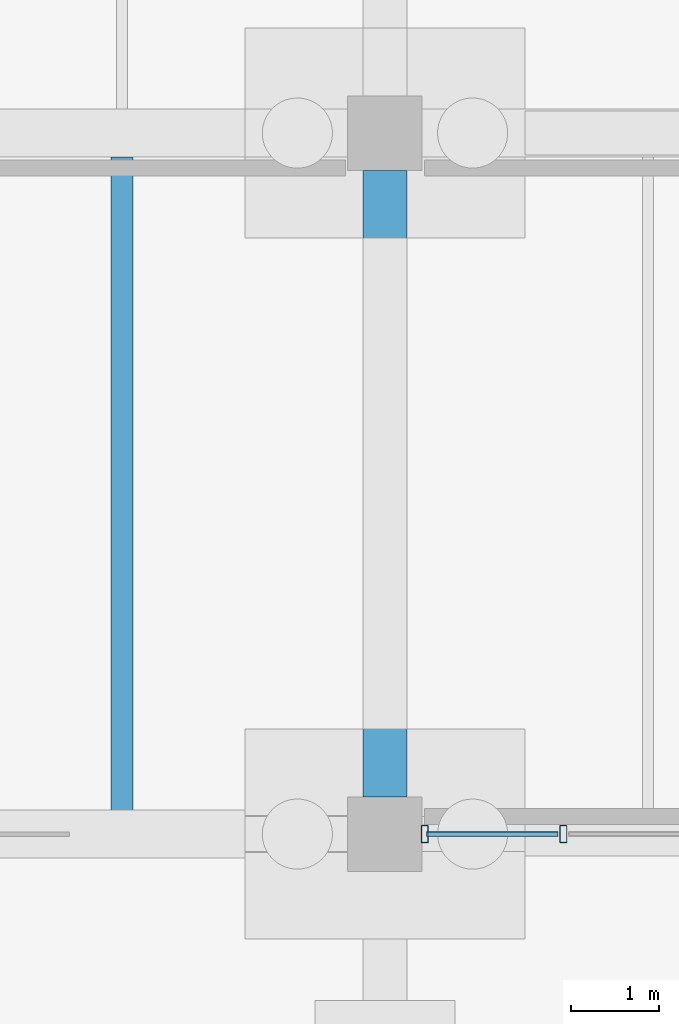
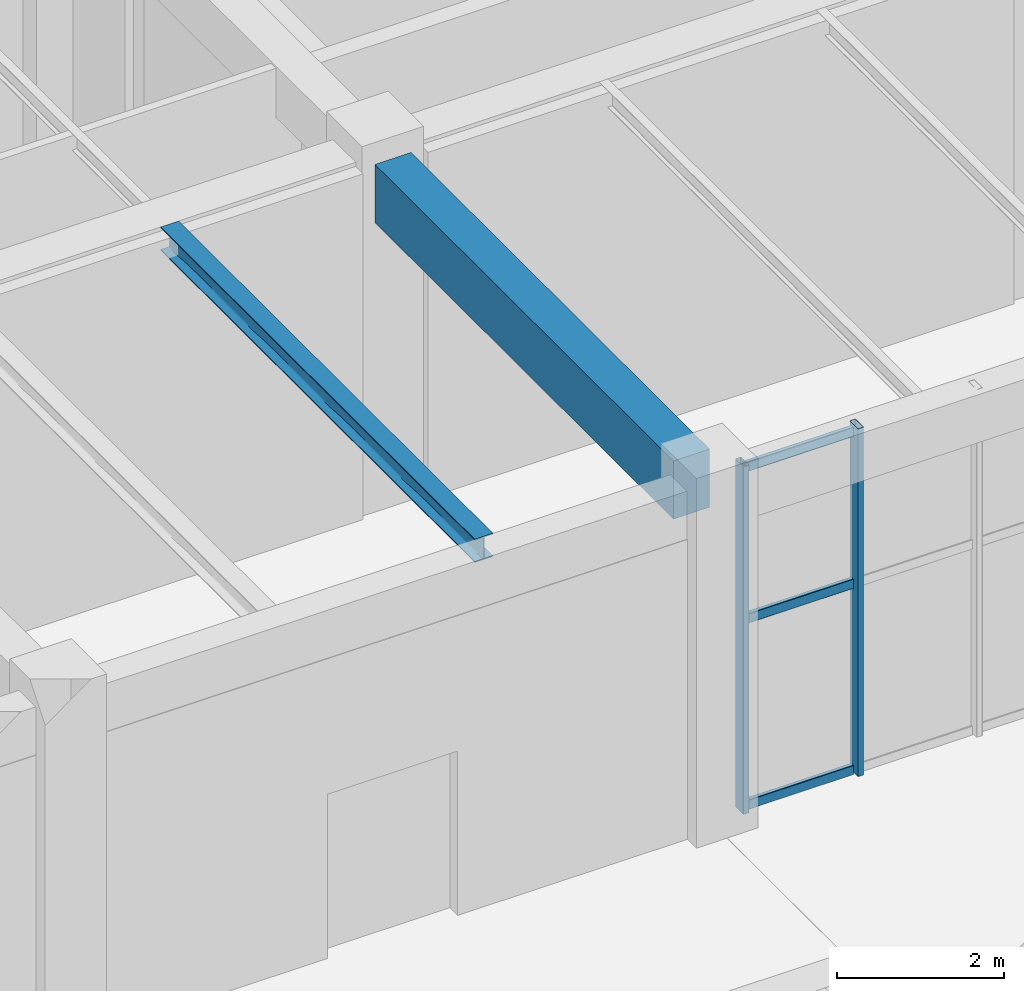
# One storey, part 35 of 121: 5 members, 2 beams, 1 element without a shape of its own.
"""IFC4 building model written with IfcOpenShell, lengths in metres."""

from ifc_helpers import new_model, si_unit, derived_unit, direction, frame, origin, origin_2d, place, context, subcontext, project, spatial, rectangle, hollow_rectangle, i_section, extrude, material, material_profile, profile_set, type_object, element, aggregate, save


model = new_model("IFC4")

# Units and contexts
model_context = context("Model", 3, precision=1e-05, world=origin(), true_north=direction((0.0, 1.0)))
body_context = subcontext(model_context, "Body", "Model", "MODEL_VIEW")
ifc_project = project(units=[si_unit("LENGTHUNIT", "METRE"), si_unit("AREAUNIT", "SQUARE_METRE"), si_unit("VOLUMEUNIT", "CUBIC_METRE"), si_unit("PLANEANGLEUNIT", "RADIAN"), si_unit("MASSUNIT", "GRAM", prefix="KILO"), derived_unit("THERMALTRANSMITTANCEUNIT", [(si_unit("MASSUNIT", "GRAM", prefix="KILO"), 1), (si_unit("TIMEUNIT", "SECOND"), -3), (si_unit("THERMODYNAMICTEMPERATUREUNIT", "KELVIN"), -1)])], contexts=[model_context])

# Site, building, storey
site_placement = place(None, origin())
site = spatial("IfcSite", under=ifc_project, at=site_placement, CompositionType="ELEMENT")
building_placement = place(site_placement, origin())
building = spatial("IfcBuilding", under=site, at=building_placement, Name="Zhenchuan Archway Interchange", CompositionType="ELEMENT")
storey_placement = place(building_placement, origin())
storey = spatial("IfcBuildingStorey", under=building, at=storey_placement, Name="L00", CompositionType="ELEMENT", Elevation=0.0)

# Beam
ifc_material_1 = material(Name="Concrete C40", Category="concrete")
ifc_material_profile_1 = material_profile(ifc_material_1, rectangle(XDim=0.5, YDim=0.85009765625, at=origin_2d()), Name="RC 500x850")
ifc_profile_set_1 = profile_set([ifc_material_profile_1], Name="Concrete C40")
beam_type_1 = type_object("IfcBeamType", Name="BM_RC_500x850", PredefinedType="BEAM", material=ifc_profile_set_1)
beam_1_placement = place(storey_placement, frame((27.0, 96.425048828125, 4.655029296875), z_axis=(0.0, 1.0, 0.0), x_axis=(-1.0, 0.0, 0.0)))
element("IfcBeam", 1, at=beam_1_placement, inside=storey, type_object=beam_type_1, Name="Beam 4:N-O (L00)", PredefinedType="BEAM", context=body_context, shape_type="SweptSolid", body=[
    extrude(rectangle(XDim=0.5, YDim=0.85009765625, at=origin_2d()), origin(), (0.0, 0.0, 1.0), 7.14990234375),
])

# Curtain wall, members
ifc_material_2 = material(Name="Anodised Aluminium", Category="aluminium")
curtain_wall_type = type_object("IfcCurtainWallType", Name="CW_UNIT_4", PredefinedType="NOTDEFINED", material=ifc_material_2)
curtain_wall_placement = place(storey_placement, origin())
curtain_wall = element("IfcCurtainWall", 2, at=curtain_wall_placement, inside=storey, type_object=curtain_wall_type, Name="Unitised curtain wall CW:L00:003", PredefinedType="NOTDEFINED")
ifc_material_profile_2 = material_profile(ifc_material_2, hollow_rectangle(XDim=0.080078125, YDim=0.199951171875, WallThickness=0.00439453125, InnerFilletRadius=0.00439453125, OuterFilletRadius=0.009033203125, at=origin_2d()), Name="ALU 200x80x4.5")
ifc_profile_set_2 = profile_set([ifc_material_profile_2], Name="Anodised Aluminium")
member_type_1 = type_object("IfcMemberType", Name="CW_MUL_200", PredefinedType="MULLION", material=ifc_profile_set_2)
member_1_placement = place(storey_placement, frame((29.035888671875, 96.0, 0.0), z_axis=(0.0, 0.0, 1.0), x_axis=(1.0, 0.0, 0.0)))
member_1 = element("IfcMember", 3, at=member_1_placement, type_object=member_type_1, Name="CW:L00:003 mullion 4", PredefinedType="MULLION", context=body_context, shape_type="SweptSolid", body=[
    extrude(hollow_rectangle(XDim=0.080078125, YDim=0.199951171875, WallThickness=0.00439453125, InnerFilletRadius=0.00439453125, OuterFilletRadius=0.009033203125, at=origin_2d()), origin(), (0.0, 0.0, 1.0), 5.080078125),
])
member_2_placement = place(storey_placement, frame((27.452880859375, 96.0, 0.0), z_axis=(0.0, 0.0, 1.0), x_axis=(1.0, 0.0, 0.0)))
member_2 = element("IfcMember", 4, at=member_2_placement, type_object=member_type_1, Name="CW:L00:003 mullion 5", PredefinedType="MULLION", context=body_context, shape_type="SweptSolid", body=[
    extrude(hollow_rectangle(XDim=0.080078125, YDim=0.199951171875, WallThickness=0.00439453125, InnerFilletRadius=0.00439453125, OuterFilletRadius=0.009033203125, at=origin_2d()), origin(), (0.0, 0.0, 1.0), 5.080078125),
])
ifc_material_profile_3 = material_profile(ifc_material_2, hollow_rectangle(XDim=0.06005859375, YDim=0.139892578125, WallThickness=0.00341796875, InnerFilletRadius=0.00341796875, OuterFilletRadius=0.007080078125, at=origin_2d()), Name="ALU 140x60x3.5")
ifc_profile_set_3 = profile_set([ifc_material_profile_3], Name="Anodised Aluminium")
member_type_2 = type_object("IfcMemberType", Name="CW_TRN_140", PredefinedType="USERDEFINED", material=ifc_profile_set_3)
member_3_placement = place(storey_placement, frame((28.975830078125, 96.0, 0.06005859375), z_axis=(-1.0, 0.0, 0.0), x_axis=(0.0, -1.0, 0.0)))
member_3 = element("IfcMember", 5, at=member_3_placement, type_object=member_type_2, Name="CW:L00:003 transom 4-1", ObjectType="TRANSOM", PredefinedType="USERDEFINED", context=body_context, shape_type="SweptSolid", body=[
    extrude(hollow_rectangle(XDim=0.06005859375, YDim=0.139892578125, WallThickness=0.00341796875, InnerFilletRadius=0.00341796875, OuterFilletRadius=0.007080078125, at=origin_2d()), origin(), (0.0, 0.0, 1.0), 1.5029296875),
])
member_4_placement = place(storey_placement, frame((28.975830078125, 96.0, 2.782958984375), z_axis=(-1.0, 0.0, 0.0), x_axis=(0.0, -1.0, 0.0)))
member_4 = element("IfcMember", 6, at=member_4_placement, type_object=member_type_2, Name="CW:L00:003 transom 4-2", ObjectType="TRANSOM", PredefinedType="USERDEFINED", context=body_context, shape_type="SweptSolid", body=[
    extrude(hollow_rectangle(XDim=0.06005859375, YDim=0.139892578125, WallThickness=0.00341796875, InnerFilletRadius=0.00341796875, OuterFilletRadius=0.007080078125, at=origin_2d()), origin(), (0.0, 0.0, 1.0), 1.5029296875),
])
member_5_placement = place(storey_placement, frame((28.975830078125, 96.0, 5.0), z_axis=(-1.0, 0.0, 0.0), x_axis=(0.0, -1.0, 0.0)))
member_5 = element("IfcMember", 7, at=member_5_placement, type_object=member_type_2, Name="CW:L00:003 transom 4-3", ObjectType="TRANSOM", PredefinedType="USERDEFINED", context=body_context, shape_type="SweptSolid", body=[
    extrude(hollow_rectangle(XDim=0.06005859375, YDim=0.139892578125, WallThickness=0.00341796875, InnerFilletRadius=0.00341796875, OuterFilletRadius=0.007080078125, at=origin_2d()), origin(), (0.0, 0.0, 1.0), 1.5029296875),
])
aggregate(curtain_wall, [member_1, member_2, member_3, member_4, member_5])

# Beam
ifc_material_3 = material(Name="Steel Q355", Category="steel")
ifc_material_profile_4 = material_profile(ifc_material_3, i_section(OverallWidth=0.25, OverallDepth=0.340087890625, WebThickness=0.009033203125, FlangeThickness=0.013916015625, FilletRadius=0.01806640625, at=origin_2d()), Name="HM 340x250")
ifc_profile_set_4 = profile_set([ifc_material_profile_4], Name="Steel Q355")
beam_type_2 = type_object("IfcBeamType", Name="JST_STL_HM340", PredefinedType="JOIST", material=ifc_profile_set_4)
beam_2_placement = place(storey_placement, frame((24.0, 96.199951171875, 4.909912109375), z_axis=(0.0, 1.0, 0.0), x_axis=(-1.0, 0.0, 0.0)))
element("IfcBeam", 8, at=beam_2_placement, inside=storey, type_object=beam_type_2, Name="Secondary joist 3-4/N-O #2 (L00)", PredefinedType="JOIST", context=body_context, shape_type="SweptSolid", body=[
    extrude(i_section(OverallWidth=0.25, OverallDepth=0.340087890625, WebThickness=0.009033203125, FlangeThickness=0.013916015625, FilletRadius=0.01806640625, at=origin_2d()), origin(), (0.0, 0.0, 1.0), 7.525146484375),
])

save(model, "model.ifc")
